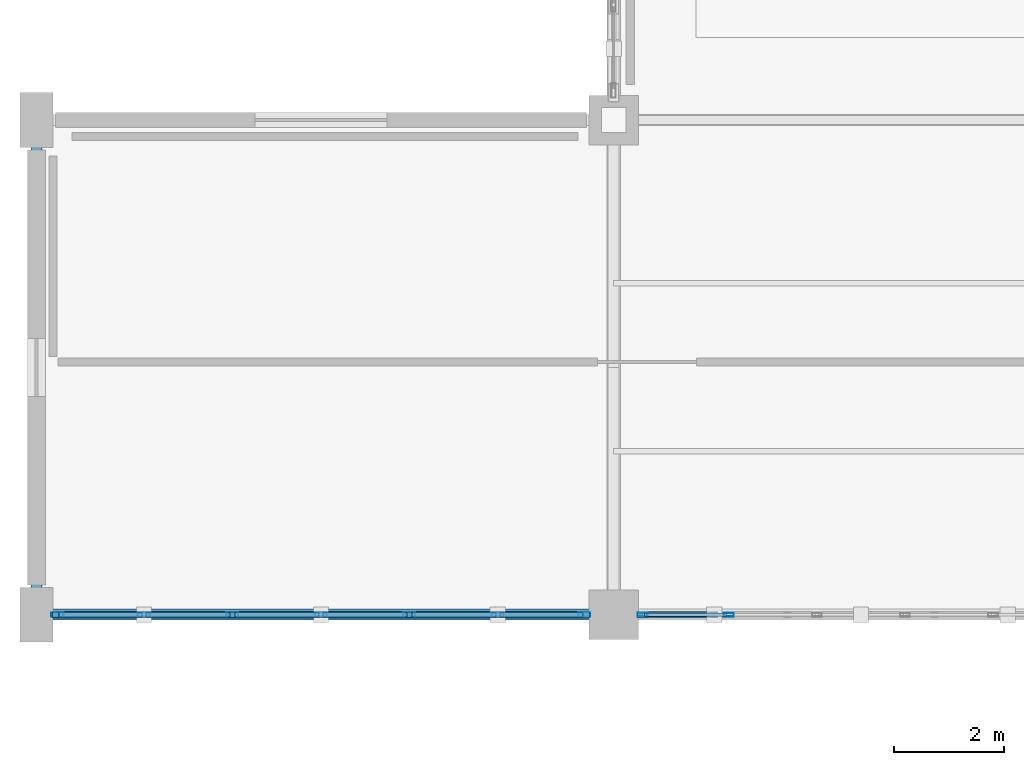
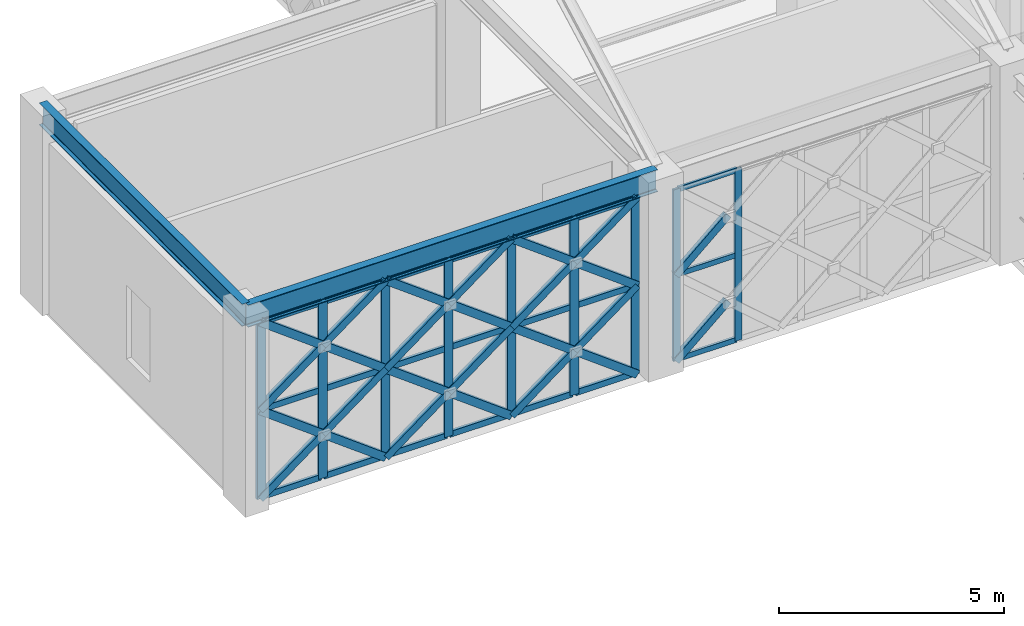
# One storey, part 54 of 166: 50 members, 2 beams, 2 elements without a shape of their own.
"""IFC4 building model written with IfcOpenShell, lengths in metres."""

from ifc_helpers import new_model, si_unit, direction, frame, origin, origin_2d, place, context, subcontext, project, spatial, hollow_rectangle, i_section, extrude, material, material_profile, profile_set, type_object, element, aggregate, save


model = new_model("IFC4")

# Units and contexts
model_context = context("Model", 3, precision=1e-05, world=origin(), true_north=direction((0.0, 1.0)))
body_context = subcontext(model_context, "Body", "Model", "MODEL_VIEW")
ifc_project = project(units=[si_unit("LENGTHUNIT", "METRE"), si_unit("AREAUNIT", "SQUARE_METRE"), si_unit("VOLUMEUNIT", "CUBIC_METRE"), si_unit("PLANEANGLEUNIT", "RADIAN"), si_unit("MASSUNIT", "GRAM", prefix="KILO")], contexts=[model_context])

# Site, building, storey
site_placement = place(None, origin())
site = spatial("IfcSite", under=ifc_project, at=site_placement, CompositionType="ELEMENT")
building_placement = place(site_placement, origin())
building = spatial("IfcBuilding", under=site, at=building_placement, Name="Haizhuo Lancet Aquarium", CompositionType="ELEMENT")
storey_placement = place(building_placement, frame((0.0, 0.0, 5.39990234375)))
storey = spatial("IfcBuildingStorey", under=building, at=storey_placement, Name="L01", CompositionType="ELEMENT", Elevation=5.39990234375)

# Beams
ifc_material_1 = material(Name="Steel S355", Category="steel")
ifc_material_profile_1 = material_profile(ifc_material_1, i_section(OverallWidth=0.199951171875, OverallDepth=0.60009765625, WebThickness=0.010986328125, FlangeThickness=0.01708984375, FilletRadius=0.02197265625, at=origin_2d()), Name="HN 600x200x11x17")
ifc_profile_set_1 = profile_set([ifc_material_profile_1], Name="Steel S355")
beam_type = type_object("IfcBeamType", Name="BM-ST-HN600", PredefinedType="BEAM", material=ifc_profile_set_1)
beam_1_placement = place(storey_placement, frame((-82.5, 9.0, 5.10009765625), z_axis=(0.0, 1.0, 0.0), x_axis=(-1.0, 0.0, 0.0)))
element("IfcBeam", 1, at=beam_1_placement, inside=storey, type_object=beam_type, Name="L01 V2 primary girder BM-L01-V2-001", PredefinedType="BEAM", context=body_context, shape_type="SweptSolid", body=[
    extrude(i_section(OverallWidth=0.199951171875, OverallDepth=0.60009765625, WebThickness=0.010986328125, FlangeThickness=0.01708984375, FilletRadius=0.02197265625, at=origin_2d()), origin(), (0.0, 0.0, 1.0), 9.0),
])
beam_2_placement = place(storey_placement, frame((-82.5, 9.0, 5.10009765625), z_axis=(1.0, 0.0, 0.0), x_axis=(0.0, 1.0, 0.0)))
element("IfcBeam", 2, at=beam_2_placement, inside=storey, type_object=beam_type, Name="L01 V2 primary girder BM-L01-V2-002", PredefinedType="BEAM", context=body_context, shape_type="SweptSolid", body=[
    extrude(i_section(OverallWidth=0.199951171875, OverallDepth=0.60009765625, WebThickness=0.010986328125, FlangeThickness=0.01708984375, FilletRadius=0.02197265625, at=origin_2d()), origin(), (0.0, 0.0, 1.0), 10.5),
])

# Curtain wall, members
ifc_material_2 = material(Name="Aluminium 6063-T6", Category="aluminium")
curtain_wall_type_1 = type_object("IfcCurtainWallType", Name="CWO-8010x4650", PredefinedType="NOTDEFINED", material=ifc_material_2)
curtain_wall_1_placement = place(storey_placement, origin())
curtain_wall_1 = element("IfcCurtainWall", 3, at=curtain_wall_1_placement, inside=storey, type_object=curtain_wall_type_1, Name="L01 curtain wall CW-V2-L01-028", PredefinedType="NOTDEFINED")
ifc_material_profile_2 = material_profile(ifc_material_2, hollow_rectangle(XDim=0.06494140625, YDim=0.179931640625, WallThickness=0.00390625, at=origin_2d()), Name="ALU-M 65x180x4")
ifc_profile_set_2 = profile_set([ifc_material_profile_2], Name="Aluminium 6063-T6")
member_type_1 = type_object("IfcMemberType", Name="CW-MUL-1", PredefinedType="MULLION", material=ifc_profile_set_2)
member_1_placement = place(storey_placement, frame((-69.903076171875, 9.0, 0.0), z_axis=(0.0, 0.0, 1.0), x_axis=(0.0, -1.0, 0.0)))
member_1 = element("IfcMember", 4, at=member_1_placement, type_object=member_type_1, Name="CWO-80x46 mullion 5", PredefinedType="MULLION", context=body_context, shape_type="SweptSolid", body=[
    extrude(hollow_rectangle(XDim=0.06494140625, YDim=0.179931640625, WallThickness=0.00390625, at=origin_2d()), origin(), (0.0, 0.0, 1.0), 4.650146484375),
])
member_2_placement = place(storey_placement, frame((-71.471923828125, 9.0, 0.0), z_axis=(0.0, 0.0, 1.0), x_axis=(0.0, -1.0, 0.0)))
member_2 = element("IfcMember", 5, at=member_2_placement, type_object=member_type_1, Name="CWO-80x46 mullion 6", PredefinedType="MULLION", context=body_context, shape_type="SweptSolid", body=[
    extrude(hollow_rectangle(XDim=0.06494140625, YDim=0.179931640625, WallThickness=0.00390625, at=origin_2d()), origin(), (0.0, 0.0, 1.0), 4.650146484375),
])

curtain_wall_type_2 = type_object("IfcCurtainWallType", Name="CWO-9660x4800", PredefinedType="NOTDEFINED", material=ifc_material_2)
curtain_wall_2_placement = place(storey_placement, origin())
curtain_wall_2 = element("IfcCurtainWall", 6, at=curtain_wall_2_placement, inside=storey, type_object=curtain_wall_type_2, Name="L01 curtain wall CW-V2-L01-029", PredefinedType="NOTDEFINED")
ifc_material_profile_3 = material_profile(ifc_material_2, hollow_rectangle(XDim=0.074951171875, YDim=0.219970703125, WallThickness=0.0048828125, at=origin_2d()), Name="ALU-M 75x220x5")
ifc_profile_set_3 = profile_set([ifc_material_profile_3], Name="Aluminium 6063-T6")
member_type_2 = type_object("IfcMemberType", Name="CW-MUL-2", PredefinedType="MULLION", material=ifc_profile_set_3)
member_3_placement = place(storey_placement, frame((-72.531982421875, 9.0, 0.0), z_axis=(0.0, 0.0, 1.0), x_axis=(0.0, -1.0, 0.0)))
member_3 = element("IfcMember", 7, at=member_3_placement, type_object=member_type_2, Name="CWO-96x48 mullion 1", PredefinedType="MULLION", context=body_context, shape_type="SweptSolid", body=[
    extrude(hollow_rectangle(XDim=0.074951171875, YDim=0.219970703125, WallThickness=0.0048828125, at=origin_2d()), origin(), (0.0, 0.0, 1.0), 4.800048828125),
])
member_4_placement = place(storey_placement, frame((-74.10498046875, 9.0, 0.0), z_axis=(0.0, 0.0, 1.0), x_axis=(0.0, -1.0, 0.0)))
member_4 = element("IfcMember", 8, at=member_4_placement, type_object=member_type_2, Name="CWO-96x48 mullion 2", PredefinedType="MULLION", context=body_context, shape_type="SweptSolid", body=[
    extrude(hollow_rectangle(XDim=0.074951171875, YDim=0.219970703125, WallThickness=0.0048828125, at=origin_2d()), origin(), (0.0, 0.0, 1.0), 4.800048828125),
])
member_5_placement = place(storey_placement, frame((-75.715087890625, 9.0, 0.0), z_axis=(0.0, 0.0, 1.0), x_axis=(0.0, -1.0, 0.0)))
member_5 = element("IfcMember", 9, at=member_5_placement, type_object=member_type_2, Name="CWO-96x48 mullion 3", PredefinedType="MULLION", context=body_context, shape_type="SweptSolid", body=[
    extrude(hollow_rectangle(XDim=0.074951171875, YDim=0.219970703125, WallThickness=0.0048828125, at=origin_2d()), origin(), (0.0, 0.0, 1.0), 4.800048828125),
])
member_6_placement = place(storey_placement, frame((-77.324951171875, 9.0, 0.0), z_axis=(0.0, 0.0, 1.0), x_axis=(0.0, -1.0, 0.0)))
member_6 = element("IfcMember", 10, at=member_6_placement, type_object=member_type_2, Name="CWO-96x48 mullion 4", PredefinedType="MULLION", context=body_context, shape_type="SweptSolid", body=[
    extrude(hollow_rectangle(XDim=0.074951171875, YDim=0.219970703125, WallThickness=0.0048828125, at=origin_2d()), origin(), (0.0, 0.0, 1.0), 4.800048828125),
])
member_7_placement = place(storey_placement, frame((-78.93505859375, 9.0, 0.0), z_axis=(0.0, 0.0, 1.0), x_axis=(0.0, -1.0, 0.0)))
member_7 = element("IfcMember", 11, at=member_7_placement, type_object=member_type_2, Name="CWO-96x48 mullion 5", PredefinedType="MULLION", context=body_context, shape_type="SweptSolid", body=[
    extrude(hollow_rectangle(XDim=0.074951171875, YDim=0.219970703125, WallThickness=0.0048828125, at=origin_2d()), origin(), (0.0, 0.0, 1.0), 4.800048828125),
])
member_8_placement = place(storey_placement, frame((-80.544921875, 9.0, 0.0), z_axis=(0.0, 0.0, 1.0), x_axis=(0.0, -1.0, 0.0)))
member_8 = element("IfcMember", 12, at=member_8_placement, type_object=member_type_2, Name="CWO-96x48 mullion 6", PredefinedType="MULLION", context=body_context, shape_type="SweptSolid", body=[
    extrude(hollow_rectangle(XDim=0.074951171875, YDim=0.219970703125, WallThickness=0.0048828125, at=origin_2d()), origin(), (0.0, 0.0, 1.0), 4.800048828125),
])
member_9_placement = place(storey_placement, frame((-82.117919921875, 9.0, 0.0), z_axis=(0.0, 0.0, 1.0), x_axis=(0.0, -1.0, 0.0)))
member_9 = element("IfcMember", 13, at=member_9_placement, type_object=member_type_2, Name="CWO-96x48 mullion 7", PredefinedType="MULLION", context=body_context, shape_type="SweptSolid", body=[
    extrude(hollow_rectangle(XDim=0.074951171875, YDim=0.219970703125, WallThickness=0.0048828125, at=origin_2d()), origin(), (0.0, 0.0, 1.0), 4.800048828125),
])

# Member
ifc_material_profile_4 = material_profile(ifc_material_2, hollow_rectangle(XDim=0.06494140625, YDim=0.139892578125, WallThickness=0.00390625, at=origin_2d()), Name="ALU-T 65x140x4")
ifc_profile_set_4 = profile_set([ifc_material_profile_4], Name="Aluminium 6063-T6")
member_type_3 = type_object("IfcMemberType", Name="CW-TRN-1", PredefinedType="NOTDEFINED", material=ifc_profile_set_4)
member_10_placement = place(storey_placement, frame((-69.93505859375, 9.0, 0.033203125), z_axis=(-1.0, 0.0, 0.0), x_axis=(0.0, -1.0, 0.0)))
member_10 = element("IfcMember", 14, at=member_10_placement, type_object=member_type_3, Name="CWO-80x46 transom 5.1", ObjectType="TRANSOM", PredefinedType="USERDEFINED", context=body_context, shape_type="SweptSolid", body=[
    extrude(hollow_rectangle(XDim=0.06494140625, YDim=0.139892578125, WallThickness=0.00390625, at=origin_2d()), origin(), (0.0, 0.0, 1.0), 1.5048828125),
])

member_11_placement = place(storey_placement, frame((-69.93505859375, 9.0, 2.3251953125), z_axis=(-1.0, 0.0, 0.0), x_axis=(0.0, -1.0, 0.0)))
member_11 = element("IfcMember", 15, at=member_11_placement, type_object=member_type_3, Name="CWO-80x46 transom 5.2", ObjectType="TRANSOM", PredefinedType="USERDEFINED", context=body_context, shape_type="SweptSolid", body=[
    extrude(hollow_rectangle(XDim=0.06494140625, YDim=0.139892578125, WallThickness=0.00390625, at=origin_2d()), origin(), (0.0, 0.0, 1.0), 1.5048828125),
])

member_12_placement = place(storey_placement, frame((-69.93505859375, 9.0, 4.6181640625), z_axis=(-1.0, 0.0, 0.0), x_axis=(0.0, -1.0, 0.0)))
member_12 = element("IfcMember", 16, at=member_12_placement, type_object=member_type_3, Name="CWO-80x46 transom 5.3", ObjectType="TRANSOM", PredefinedType="USERDEFINED", context=body_context, shape_type="SweptSolid", body=[
    extrude(hollow_rectangle(XDim=0.06494140625, YDim=0.139892578125, WallThickness=0.00390625, at=origin_2d()), origin(), (0.0, 0.0, 1.0), 1.5048828125),
])

aggregate(curtain_wall_1, [member_1, member_2, member_10, member_11, member_12])

ifc_material_profile_5 = material_profile(ifc_material_2, hollow_rectangle(XDim=0.074951171875, YDim=0.159912109375, WallThickness=0.00390625, at=origin_2d()), Name="ALU-T 75x160x4")
ifc_profile_set_5 = profile_set([ifc_material_profile_5], Name="Aluminium 6063-T6")
member_type_4 = type_object("IfcMemberType", Name="CW-TRN-2", PredefinedType="NOTDEFINED", material=ifc_profile_set_5)
member_13_placement = place(storey_placement, frame((-72.570068359375, 9.0, 0.0380859375), z_axis=(-1.0, 0.0, 0.0), x_axis=(0.0, -1.0, 0.0)))
member_13 = element("IfcMember", 17, at=member_13_placement, type_object=member_type_4, Name="CWO-96x48 transom 1.1", ObjectType="TRANSOM", PredefinedType="USERDEFINED", context=body_context, shape_type="SweptSolid", body=[
    extrude(hollow_rectangle(XDim=0.074951171875, YDim=0.159912109375, WallThickness=0.00390625, at=origin_2d()), origin(), (0.0, 0.0, 1.0), 1.498046875),
])

member_14_placement = place(storey_placement, frame((-72.570068359375, 9.0, 2.400146484375), z_axis=(-1.0, 0.0, 0.0), x_axis=(0.0, -1.0, 0.0)))
member_14 = element("IfcMember", 18, at=member_14_placement, type_object=member_type_4, Name="CWO-96x48 transom 1.2", ObjectType="TRANSOM", PredefinedType="USERDEFINED", context=body_context, shape_type="SweptSolid", body=[
    extrude(hollow_rectangle(XDim=0.074951171875, YDim=0.159912109375, WallThickness=0.00390625, at=origin_2d()), origin(), (0.0, 0.0, 1.0), 1.498046875),
])

member_15_placement = place(storey_placement, frame((-72.570068359375, 9.0, 4.76220703125), z_axis=(-1.0, 0.0, 0.0), x_axis=(0.0, -1.0, 0.0)))
member_15 = element("IfcMember", 19, at=member_15_placement, type_object=member_type_4, Name="CWO-96x48 transom 1.3", ObjectType="TRANSOM", PredefinedType="USERDEFINED", context=body_context, shape_type="SweptSolid", body=[
    extrude(hollow_rectangle(XDim=0.074951171875, YDim=0.159912109375, WallThickness=0.00390625, at=origin_2d()), origin(), (0.0, 0.0, 1.0), 1.498046875),
])

member_16_placement = place(storey_placement, frame((-74.14208984375, 9.0, 0.0380859375), z_axis=(-1.0, 0.0, 0.0), x_axis=(0.0, -1.0, 0.0)))
member_16 = element("IfcMember", 20, at=member_16_placement, type_object=member_type_4, Name="CWO-96x48 transom 2.1", ObjectType="TRANSOM", PredefinedType="USERDEFINED", context=body_context, shape_type="SweptSolid", body=[
    extrude(hollow_rectangle(XDim=0.074951171875, YDim=0.159912109375, WallThickness=0.00390625, at=origin_2d()), origin(), (0.0, 0.0, 1.0), 1.535888671875),
])

member_17_placement = place(storey_placement, frame((-74.14208984375, 9.0, 2.400146484375), z_axis=(-1.0, 0.0, 0.0), x_axis=(0.0, -1.0, 0.0)))
member_17 = element("IfcMember", 21, at=member_17_placement, type_object=member_type_4, Name="CWO-96x48 transom 2.2", ObjectType="TRANSOM", PredefinedType="USERDEFINED", context=body_context, shape_type="SweptSolid", body=[
    extrude(hollow_rectangle(XDim=0.074951171875, YDim=0.159912109375, WallThickness=0.00390625, at=origin_2d()), origin(), (0.0, 0.0, 1.0), 1.535888671875),
])

member_18_placement = place(storey_placement, frame((-74.14208984375, 9.0, 4.76220703125), z_axis=(-1.0, 0.0, 0.0), x_axis=(0.0, -1.0, 0.0)))
member_18 = element("IfcMember", 22, at=member_18_placement, type_object=member_type_4, Name="CWO-96x48 transom 2.3", ObjectType="TRANSOM", PredefinedType="USERDEFINED", context=body_context, shape_type="SweptSolid", body=[
    extrude(hollow_rectangle(XDim=0.074951171875, YDim=0.159912109375, WallThickness=0.00390625, at=origin_2d()), origin(), (0.0, 0.0, 1.0), 1.535888671875),
])

member_19_placement = place(storey_placement, frame((-75.751953125, 9.0, 0.0380859375), z_axis=(-1.0, 0.0, 0.0), x_axis=(0.0, -1.0, 0.0)))
member_19 = element("IfcMember", 23, at=member_19_placement, type_object=member_type_4, Name="CWO-96x48 transom 3.1", ObjectType="TRANSOM", PredefinedType="USERDEFINED", context=body_context, shape_type="SweptSolid", body=[
    extrude(hollow_rectangle(XDim=0.074951171875, YDim=0.159912109375, WallThickness=0.00390625, at=origin_2d()), origin(), (0.0, 0.0, 1.0), 1.5361328125),
])

member_20_placement = place(storey_placement, frame((-75.751953125, 9.0, 2.400146484375), z_axis=(-1.0, 0.0, 0.0), x_axis=(0.0, -1.0, 0.0)))
member_20 = element("IfcMember", 24, at=member_20_placement, type_object=member_type_4, Name="CWO-96x48 transom 3.2", ObjectType="TRANSOM", PredefinedType="USERDEFINED", context=body_context, shape_type="SweptSolid", body=[
    extrude(hollow_rectangle(XDim=0.074951171875, YDim=0.159912109375, WallThickness=0.00390625, at=origin_2d()), origin(), (0.0, 0.0, 1.0), 1.5361328125),
])

member_21_placement = place(storey_placement, frame((-75.751953125, 9.0, 4.76220703125), z_axis=(-1.0, 0.0, 0.0), x_axis=(0.0, -1.0, 0.0)))
member_21 = element("IfcMember", 25, at=member_21_placement, type_object=member_type_4, Name="CWO-96x48 transom 3.3", ObjectType="TRANSOM", PredefinedType="USERDEFINED", context=body_context, shape_type="SweptSolid", body=[
    extrude(hollow_rectangle(XDim=0.074951171875, YDim=0.159912109375, WallThickness=0.00390625, at=origin_2d()), origin(), (0.0, 0.0, 1.0), 1.5361328125),
])

member_22_placement = place(storey_placement, frame((-77.362060546875, 9.0, 0.0380859375), z_axis=(-1.0, 0.0, 0.0), x_axis=(0.0, -1.0, 0.0)))
member_22 = element("IfcMember", 26, at=member_22_placement, type_object=member_type_4, Name="CWO-96x48 transom 4.1", ObjectType="TRANSOM", PredefinedType="USERDEFINED", context=body_context, shape_type="SweptSolid", body=[
    extrude(hollow_rectangle(XDim=0.074951171875, YDim=0.159912109375, WallThickness=0.00390625, at=origin_2d()), origin(), (0.0, 0.0, 1.0), 1.535888671875),
])

member_23_placement = place(storey_placement, frame((-77.362060546875, 9.0, 2.400146484375), z_axis=(-1.0, 0.0, 0.0), x_axis=(0.0, -1.0, 0.0)))
member_23 = element("IfcMember", 27, at=member_23_placement, type_object=member_type_4, Name="CWO-96x48 transom 4.2", ObjectType="TRANSOM", PredefinedType="USERDEFINED", context=body_context, shape_type="SweptSolid", body=[
    extrude(hollow_rectangle(XDim=0.074951171875, YDim=0.159912109375, WallThickness=0.00390625, at=origin_2d()), origin(), (0.0, 0.0, 1.0), 1.535888671875),
])

member_24_placement = place(storey_placement, frame((-77.362060546875, 9.0, 4.76220703125), z_axis=(-1.0, 0.0, 0.0), x_axis=(0.0, -1.0, 0.0)))
member_24 = element("IfcMember", 28, at=member_24_placement, type_object=member_type_4, Name="CWO-96x48 transom 4.3", ObjectType="TRANSOM", PredefinedType="USERDEFINED", context=body_context, shape_type="SweptSolid", body=[
    extrude(hollow_rectangle(XDim=0.074951171875, YDim=0.159912109375, WallThickness=0.00390625, at=origin_2d()), origin(), (0.0, 0.0, 1.0), 1.535888671875),
])

member_25_placement = place(storey_placement, frame((-78.971923828125, 9.0, 0.0380859375), z_axis=(-1.0, 0.0, 0.0), x_axis=(0.0, -1.0, 0.0)))
member_25 = element("IfcMember", 29, at=member_25_placement, type_object=member_type_4, Name="CWO-96x48 transom 5.1", ObjectType="TRANSOM", PredefinedType="USERDEFINED", context=body_context, shape_type="SweptSolid", body=[
    extrude(hollow_rectangle(XDim=0.074951171875, YDim=0.159912109375, WallThickness=0.00390625, at=origin_2d()), origin(), (0.0, 0.0, 1.0), 1.5361328125),
])

member_26_placement = place(storey_placement, frame((-78.971923828125, 9.0, 2.400146484375), z_axis=(-1.0, 0.0, 0.0), x_axis=(0.0, -1.0, 0.0)))
member_26 = element("IfcMember", 30, at=member_26_placement, type_object=member_type_4, Name="CWO-96x48 transom 5.2", ObjectType="TRANSOM", PredefinedType="USERDEFINED", context=body_context, shape_type="SweptSolid", body=[
    extrude(hollow_rectangle(XDim=0.074951171875, YDim=0.159912109375, WallThickness=0.00390625, at=origin_2d()), origin(), (0.0, 0.0, 1.0), 1.5361328125),
])

member_27_placement = place(storey_placement, frame((-78.971923828125, 9.0, 4.76220703125), z_axis=(-1.0, 0.0, 0.0), x_axis=(0.0, -1.0, 0.0)))
member_27 = element("IfcMember", 31, at=member_27_placement, type_object=member_type_4, Name="CWO-96x48 transom 5.3", ObjectType="TRANSOM", PredefinedType="USERDEFINED", context=body_context, shape_type="SweptSolid", body=[
    extrude(hollow_rectangle(XDim=0.074951171875, YDim=0.159912109375, WallThickness=0.00390625, at=origin_2d()), origin(), (0.0, 0.0, 1.0), 1.5361328125),
])

member_28_placement = place(storey_placement, frame((-80.58203125, 9.0, 0.0380859375), z_axis=(-1.0, 0.0, 0.0), x_axis=(0.0, -1.0, 0.0)))
member_28 = element("IfcMember", 32, at=member_28_placement, type_object=member_type_4, Name="CWO-96x48 transom 6.1", ObjectType="TRANSOM", PredefinedType="USERDEFINED", context=body_context, shape_type="SweptSolid", body=[
    extrude(hollow_rectangle(XDim=0.074951171875, YDim=0.159912109375, WallThickness=0.00390625, at=origin_2d()), origin(), (0.0, 0.0, 1.0), 1.498046875),
])

member_29_placement = place(storey_placement, frame((-80.58203125, 9.0, 2.400146484375), z_axis=(-1.0, 0.0, 0.0), x_axis=(0.0, -1.0, 0.0)))
member_29 = element("IfcMember", 33, at=member_29_placement, type_object=member_type_4, Name="CWO-96x48 transom 6.2", ObjectType="TRANSOM", PredefinedType="USERDEFINED", context=body_context, shape_type="SweptSolid", body=[
    extrude(hollow_rectangle(XDim=0.074951171875, YDim=0.159912109375, WallThickness=0.00390625, at=origin_2d()), origin(), (0.0, 0.0, 1.0), 1.498046875),
])

member_30_placement = place(storey_placement, frame((-80.58203125, 9.0, 4.76220703125), z_axis=(-1.0, 0.0, 0.0), x_axis=(0.0, -1.0, 0.0)))
member_30 = element("IfcMember", 34, at=member_30_placement, type_object=member_type_4, Name="CWO-96x48 transom 6.3", ObjectType="TRANSOM", PredefinedType="USERDEFINED", context=body_context, shape_type="SweptSolid", body=[
    extrude(hollow_rectangle(XDim=0.074951171875, YDim=0.159912109375, WallThickness=0.00390625, at=origin_2d()), origin(), (0.0, 0.0, 1.0), 1.498046875),
])

aggregate(curtain_wall_2, [member_3, member_4, member_5, member_6, member_7, member_8, member_9, member_13, member_14, member_15, member_16, member_17, member_18, member_19, member_20, member_21, member_22, member_23, member_24, member_25, member_26, member_27, member_28, member_29, member_30])

# Members
ifc_material_profile_6 = material_profile(ifc_material_1, hollow_rectangle(XDim=0.1201171875, YDim=0.199951171875, WallThickness=0.008056640625, at=origin_2d()), Name="RHS 120x200x8")
ifc_profile_set_6 = profile_set([ifc_material_profile_6], Name="Steel S355")
member_type_5 = type_object("IfcMemberType", Name="MEM-LB-RHS120x200", PredefinedType="BRACE", material=ifc_profile_set_6)
member_31_placement = place(storey_placement, frame((-71.5048828125, 9.0, 0.0), z_axis=(0.754249056755, 0.0, 0.656588425412), x_axis=(0.0, 1.0, 0.0)))
element("IfcMember", 35, at=member_31_placement, inside=storey, type_object=member_type_5, Name="Gothic lancet split diagonal brace CW-V2-L01-028 5B1", PredefinedType="BRACE", context=body_context, shape_type="SweptSolid", body=[
    extrude(hollow_rectangle(XDim=0.1201171875, YDim=0.199951171875, WallThickness=0.008056640625, at=origin_2d()), origin(), (0.0, 0.0, 1.0), 1.77001953125),
])
member_32_placement = place(storey_placement, frame((-71.5048828125, 9.0, 2.3251953125), z_axis=(0.754317370429, 0.0, 0.656509942552), x_axis=(0.0, 1.0, 0.0)))
element("IfcMember", 36, at=member_32_placement, inside=storey, type_object=member_type_5, Name="Gothic lancet split diagonal brace CW-V2-L01-028 6B1", PredefinedType="BRACE", context=body_context, shape_type="SweptSolid", body=[
    extrude(hollow_rectangle(XDim=0.1201171875, YDim=0.199951171875, WallThickness=0.008056640625, at=origin_2d()), origin(), (0.0, 0.0, 1.0), 1.769775390625),
])
member_33_placement = place(storey_placement, frame((-72.4951171875, 9.0, 0.0), z_axis=(-0.801769166722, 0.0, 0.59763383714), x_axis=(0.0, -1.0, 0.0)))
element("IfcMember", 37, at=member_33_placement, inside=storey, type_object=member_type_5, Name="Gothic lancet continuous diagonal brace CW-V2-L01-029 1A", PredefinedType="BRACE", context=body_context, shape_type="SweptSolid", body=[
    extrude(hollow_rectangle(XDim=0.1201171875, YDim=0.199951171875, WallThickness=0.008056640625, at=origin_2d()), origin(), (0.0, 0.0, 1.0), 4.01611328125),
])
member_34_placement = place(storey_placement, frame((-75.715087890625, 9.0, 0.0), z_axis=(0.80176175093, 0.0, 0.597643785834), x_axis=(0.0, 1.0, 0.0)))
element("IfcMember", 38, at=member_34_placement, inside=storey, type_object=member_type_5, Name="Gothic lancet split diagonal brace CW-V2-L01-029 1B1", PredefinedType="BRACE", context=body_context, shape_type="SweptSolid", body=[
    extrude(hollow_rectangle(XDim=0.1201171875, YDim=0.199951171875, WallThickness=0.008056640625, at=origin_2d()), origin(), (0.0, 0.0, 1.0), 2.00830078125),
])
member_35_placement = place(storey_placement, frame((-74.10498046875, 9.0, 1.2001953125), z_axis=(0.801776583651, 0.0, 0.597623886662), x_axis=(0.0, 1.0, 0.0)))
element("IfcMember", 39, at=member_35_placement, inside=storey, type_object=member_type_5, Name="Gothic lancet split diagonal brace CW-V2-L01-029 1B2", PredefinedType="BRACE", context=body_context, shape_type="SweptSolid", body=[
    extrude(hollow_rectangle(XDim=0.1201171875, YDim=0.199951171875, WallThickness=0.008056640625, at=origin_2d()), origin(), (0.0, 0.0, 1.0), 2.0078125),
])
member_36_placement = place(storey_placement, frame((-72.4951171875, 9.0, 2.400146484375), z_axis=(-0.801798295588, 0.0, 0.597594756663), x_axis=(0.0, -1.0, 0.0)))
element("IfcMember", 40, at=member_36_placement, inside=storey, type_object=member_type_5, Name="Gothic lancet continuous diagonal brace CW-V2-L01-029 2A", PredefinedType="BRACE", context=body_context, shape_type="SweptSolid", body=[
    extrude(hollow_rectangle(XDim=0.1201171875, YDim=0.199951171875, WallThickness=0.008056640625, at=origin_2d()), origin(), (0.0, 0.0, 1.0), 4.015869140625),
])
member_37_placement = place(storey_placement, frame((-75.715087890625, 9.0, 2.400146484375), z_axis=(0.801820004351, 0.0, 0.597565628716), x_axis=(0.0, 1.0, 0.0)))
element("IfcMember", 41, at=member_37_placement, inside=storey, type_object=member_type_5, Name="Gothic lancet split diagonal brace CW-V2-L01-029 2B1", PredefinedType="BRACE", context=body_context, shape_type="SweptSolid", body=[
    extrude(hollow_rectangle(XDim=0.1201171875, YDim=0.199951171875, WallThickness=0.008056640625, at=origin_2d()), origin(), (0.0, 0.0, 1.0), 2.008056640625),
])
member_38_placement = place(storey_placement, frame((-74.10498046875, 9.0, 3.60009765625), z_axis=(0.801776583651, 0.0, 0.597623886662), x_axis=(0.0, 1.0, 0.0)))
element("IfcMember", 42, at=member_38_placement, inside=storey, type_object=member_type_5, Name="Gothic lancet split diagonal brace CW-V2-L01-029 2B2", PredefinedType="BRACE", context=body_context, shape_type="SweptSolid", body=[
    extrude(hollow_rectangle(XDim=0.1201171875, YDim=0.199951171875, WallThickness=0.008056640625, at=origin_2d()), origin(), (0.0, 0.0, 1.0), 2.0078125),
])
member_39_placement = place(storey_placement, frame((-75.715087890625, 9.0, 0.0), z_axis=(-0.801769166722, 0.0, 0.59763383714), x_axis=(0.0, -1.0, 0.0)))
element("IfcMember", 43, at=member_39_placement, inside=storey, type_object=member_type_5, Name="Gothic lancet continuous diagonal brace CW-V2-L01-029 3A", PredefinedType="BRACE", context=body_context, shape_type="SweptSolid", body=[
    extrude(hollow_rectangle(XDim=0.1201171875, YDim=0.199951171875, WallThickness=0.008056640625, at=origin_2d()), origin(), (0.0, 0.0, 1.0), 4.01611328125),
])
member_40_placement = place(storey_placement, frame((-78.93505859375, 9.0, 0.0), z_axis=(0.80176175093, 0.0, 0.597643785834), x_axis=(0.0, 1.0, 0.0)))
element("IfcMember", 44, at=member_40_placement, inside=storey, type_object=member_type_5, Name="Gothic lancet split diagonal brace CW-V2-L01-029 3B1", PredefinedType="BRACE", context=body_context, shape_type="SweptSolid", body=[
    extrude(hollow_rectangle(XDim=0.1201171875, YDim=0.199951171875, WallThickness=0.008056640625, at=origin_2d()), origin(), (0.0, 0.0, 1.0), 2.00830078125),
])
member_41_placement = place(storey_placement, frame((-77.324951171875, 9.0, 1.2001953125), z_axis=(0.801776583651, 0.0, 0.597623886662), x_axis=(0.0, 1.0, 0.0)))
element("IfcMember", 45, at=member_41_placement, inside=storey, type_object=member_type_5, Name="Gothic lancet split diagonal brace CW-V2-L01-029 3B2", PredefinedType="BRACE", context=body_context, shape_type="SweptSolid", body=[
    extrude(hollow_rectangle(XDim=0.1201171875, YDim=0.199951171875, WallThickness=0.008056640625, at=origin_2d()), origin(), (0.0, 0.0, 1.0), 2.0078125),
])
member_42_placement = place(storey_placement, frame((-75.715087890625, 9.0, 2.400146484375), z_axis=(-0.801798295588, 0.0, 0.597594756663), x_axis=(0.0, -1.0, 0.0)))
element("IfcMember", 46, at=member_42_placement, inside=storey, type_object=member_type_5, Name="Gothic lancet continuous diagonal brace CW-V2-L01-029 4A", PredefinedType="BRACE", context=body_context, shape_type="SweptSolid", body=[
    extrude(hollow_rectangle(XDim=0.1201171875, YDim=0.199951171875, WallThickness=0.008056640625, at=origin_2d()), origin(), (0.0, 0.0, 1.0), 4.015869140625),
])
member_43_placement = place(storey_placement, frame((-78.93505859375, 9.0, 2.400146484375), z_axis=(0.801820004351, 0.0, 0.597565628716), x_axis=(0.0, 1.0, 0.0)))
element("IfcMember", 47, at=member_43_placement, inside=storey, type_object=member_type_5, Name="Gothic lancet split diagonal brace CW-V2-L01-029 4B1", PredefinedType="BRACE", context=body_context, shape_type="SweptSolid", body=[
    extrude(hollow_rectangle(XDim=0.1201171875, YDim=0.199951171875, WallThickness=0.008056640625, at=origin_2d()), origin(), (0.0, 0.0, 1.0), 2.008056640625),
])
member_44_placement = place(storey_placement, frame((-77.324951171875, 9.0, 3.60009765625), z_axis=(0.801776583651, 0.0, 0.597623886662), x_axis=(0.0, 1.0, 0.0)))
element("IfcMember", 48, at=member_44_placement, inside=storey, type_object=member_type_5, Name="Gothic lancet split diagonal brace CW-V2-L01-029 4B2", PredefinedType="BRACE", context=body_context, shape_type="SweptSolid", body=[
    extrude(hollow_rectangle(XDim=0.1201171875, YDim=0.199951171875, WallThickness=0.008056640625, at=origin_2d()), origin(), (0.0, 0.0, 1.0), 2.0078125),
])
member_45_placement = place(storey_placement, frame((-78.93505859375, 9.0, 0.0), z_axis=(-0.801769166722, 0.0, 0.59763383714), x_axis=(0.0, -1.0, 0.0)))
element("IfcMember", 49, at=member_45_placement, inside=storey, type_object=member_type_5, Name="Gothic lancet continuous diagonal brace CW-V2-L01-029 5A", PredefinedType="BRACE", context=body_context, shape_type="SweptSolid", body=[
    extrude(hollow_rectangle(XDim=0.1201171875, YDim=0.199951171875, WallThickness=0.008056640625, at=origin_2d()), origin(), (0.0, 0.0, 1.0), 4.01611328125),
])
member_46_placement = place(storey_placement, frame((-82.155029296875, 9.0, 0.0), z_axis=(0.80176175093, 0.0, 0.597643785834), x_axis=(0.0, 1.0, 0.0)))
element("IfcMember", 50, at=member_46_placement, inside=storey, type_object=member_type_5, Name="Gothic lancet split diagonal brace CW-V2-L01-029 5B1", PredefinedType="BRACE", context=body_context, shape_type="SweptSolid", body=[
    extrude(hollow_rectangle(XDim=0.1201171875, YDim=0.199951171875, WallThickness=0.008056640625, at=origin_2d()), origin(), (0.0, 0.0, 1.0), 2.00830078125),
])
member_47_placement = place(storey_placement, frame((-80.544921875, 9.0, 1.2001953125), z_axis=(0.801776583651, 0.0, 0.597623886662), x_axis=(0.0, 1.0, 0.0)))
element("IfcMember", 51, at=member_47_placement, inside=storey, type_object=member_type_5, Name="Gothic lancet split diagonal brace CW-V2-L01-029 5B2", PredefinedType="BRACE", context=body_context, shape_type="SweptSolid", body=[
    extrude(hollow_rectangle(XDim=0.1201171875, YDim=0.199951171875, WallThickness=0.008056640625, at=origin_2d()), origin(), (0.0, 0.0, 1.0), 2.0078125),
])
member_48_placement = place(storey_placement, frame((-78.93505859375, 9.0, 2.400146484375), z_axis=(-0.801798295588, 0.0, 0.597594756663), x_axis=(0.0, -1.0, 0.0)))
element("IfcMember", 52, at=member_48_placement, inside=storey, type_object=member_type_5, Name="Gothic lancet continuous diagonal brace CW-V2-L01-029 6A", PredefinedType="BRACE", context=body_context, shape_type="SweptSolid", body=[
    extrude(hollow_rectangle(XDim=0.1201171875, YDim=0.199951171875, WallThickness=0.008056640625, at=origin_2d()), origin(), (0.0, 0.0, 1.0), 4.015869140625),
])
member_49_placement = place(storey_placement, frame((-82.155029296875, 9.0, 2.400146484375), z_axis=(0.801820004351, 0.0, 0.597565628716), x_axis=(0.0, 1.0, 0.0)))
element("IfcMember", 53, at=member_49_placement, inside=storey, type_object=member_type_5, Name="Gothic lancet split diagonal brace CW-V2-L01-029 6B1", PredefinedType="BRACE", context=body_context, shape_type="SweptSolid", body=[
    extrude(hollow_rectangle(XDim=0.1201171875, YDim=0.199951171875, WallThickness=0.008056640625, at=origin_2d()), origin(), (0.0, 0.0, 1.0), 2.008056640625),
])
member_50_placement = place(storey_placement, frame((-80.544921875, 9.0, 3.60009765625), z_axis=(0.801776583651, 0.0, 0.597623886662), x_axis=(0.0, 1.0, 0.0)))
element("IfcMember", 54, at=member_50_placement, inside=storey, type_object=member_type_5, Name="Gothic lancet split diagonal brace CW-V2-L01-029 6B2", PredefinedType="BRACE", context=body_context, shape_type="SweptSolid", body=[
    extrude(hollow_rectangle(XDim=0.1201171875, YDim=0.199951171875, WallThickness=0.008056640625, at=origin_2d()), origin(), (0.0, 0.0, 1.0), 2.0078125),
])

save(model, "model.ifc")
